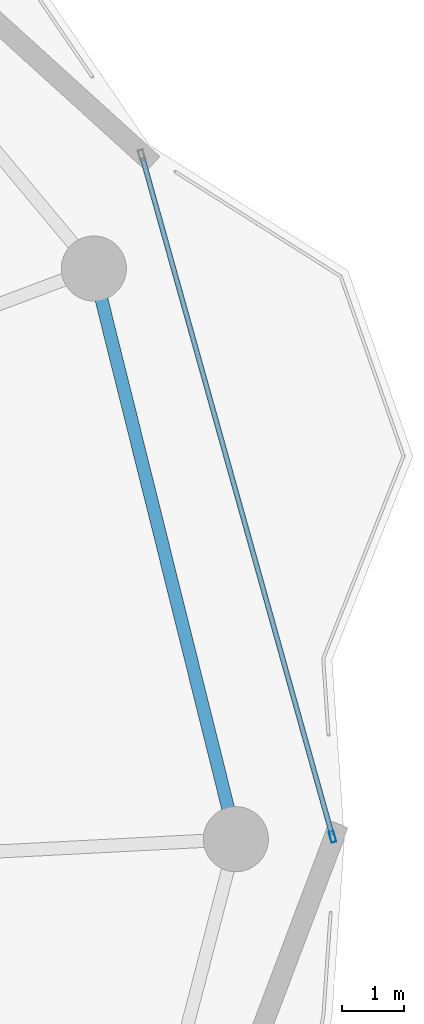
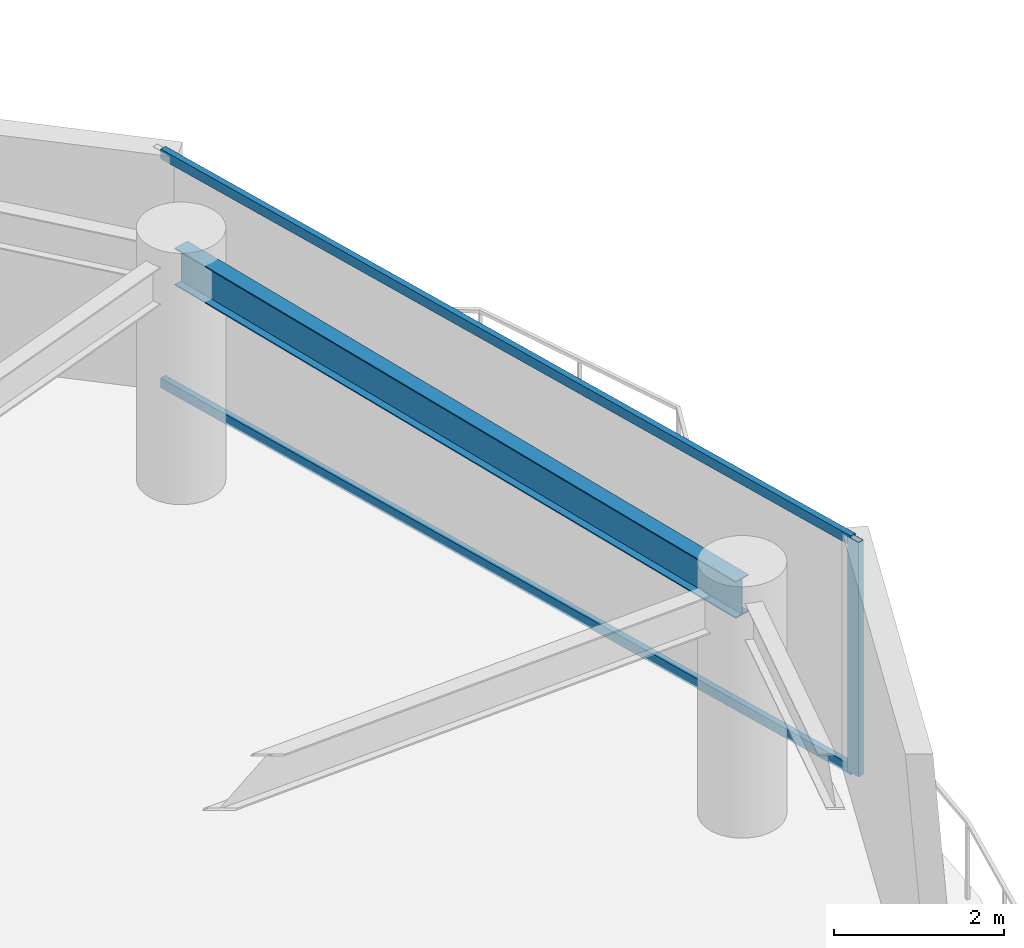
# One storey, part 15 of 29: 3 members, 1 beam, 1 element without a shape of its own.
"""IFC4 building model written with IfcOpenShell, lengths in metres."""

from ifc_helpers import new_model, si_unit, direction, frame, origin, origin_2d, place, context, subcontext, project, spatial, hollow_rectangle, i_section, extrude, material, layer, layer_set, material_profile, profile_set, type_object, element, aggregate, save


model = new_model("IFC4")

# Units and contexts
model_context = context("Model", 3, precision=1e-05, world=origin(), true_north=direction((0.0, 1.0)))
body_context = subcontext(model_context, "Body", "Model", "MODEL_VIEW")
ifc_project = project(units=[si_unit("LENGTHUNIT", "METRE"), si_unit("AREAUNIT", "SQUARE_METRE"), si_unit("VOLUMEUNIT", "CUBIC_METRE"), si_unit("PLANEANGLEUNIT", "RADIAN"), si_unit("MASSUNIT", "GRAM", prefix="KILO")], contexts=[model_context])

# Site, building, storey
site_placement = place(None, origin())
site = spatial("IfcSite", under=ifc_project, at=site_placement, CompositionType="ELEMENT")
building_placement = place(site_placement, origin())
building = spatial("IfcBuilding", under=site, at=building_placement, Name="Kazevale Care Tower and Concert Hall", CompositionType="ELEMENT")
storey_placement = place(building_placement, frame((0.0, 0.0, 199.199951171875)))
storey = spatial("IfcBuildingStorey", under=building, at=storey_placement, Name="L52", CompositionType="ELEMENT", Elevation=199.199951171875)

# Curtain wall, members
ifc_material_1 = material(Name="Aluminium 6063-T6 and Low-E Glass", Category="aluminium")
ifc_layer = layer(ifc_material_1, 0.179931640625)
ifc_layer_set = layer_set([ifc_layer], Name="Aluminium 6063-T6 and Low-E Glass")
curtain_wall_type = type_object("IfcCurtainWallType", Name="Waist & Upper Residential Curtain Wall CW-4", PredefinedType="NOTDEFINED", material=ifc_layer_set)
curtain_wall_placement = place(storey_placement, origin())
curtain_wall = element("IfcCurtainWall", 1, at=curtain_wall_placement, inside=storey, type_object=curtain_wall_type, Name="cw:L52:f18", PredefinedType="NOTDEFINED")
ifc_material_2 = material(Name="Aluminium 6063-T6", Category="aluminium")
ifc_material_profile_1 = material_profile(ifc_material_2, hollow_rectangle(XDim=0.080078125, YDim=0.179931640625, WallThickness=0.0048828125, at=origin_2d()), Name="ALU80x180x5")
ifc_profile_set_1 = profile_set([ifc_material_profile_1], Name="Aluminium 6063-T6")
member_type_1 = type_object("IfcMemberType", Name="CW-4 Mullion ALU80x180x5", PredefinedType="MULLION", material=ifc_profile_set_1)
member_1_placement = place(storey_placement, frame((76.609130859375, 38.03857421875, 0.0), z_axis=(0.0, 0.0, 1.0), x_axis=(0.962972156211, 0.269600864915, 0.0)))
member_1 = element("IfcMember", 2, at=member_1_placement, type_object=member_type_1, Name="CW-4 mullion 2", PredefinedType="MULLION", context=body_context, shape_type="SweptSolid", body=[
    extrude(hollow_rectangle(XDim=0.080078125, YDim=0.179931640625, WallThickness=0.0048828125, at=origin_2d()), origin(), (0.0, 0.0, 1.0), 3.360107421875),
])
ifc_material_profile_2 = material_profile(ifc_material_2, hollow_rectangle(XDim=0.080078125, YDim=0.139892578125, WallThickness=0.00390625, at=origin_2d()), Name="ALU80x140x4")
ifc_profile_set_2 = profile_set([ifc_material_profile_2], Name="Aluminium 6063-T6")
member_type_2 = type_object("IfcMemberType", Name="CW-4 Transom ALU80x140x4", PredefinedType="USERDEFINED", material=ifc_profile_set_2)
member_2_placement = place(storey_placement, frame((73.544677734375, 48.98486328125, 0.0400390625), z_axis=(0.269593149795, -0.96297431616, 0.0), x_axis=(0.96297431616, 0.269593149795, 0.0)))
member_2 = element("IfcMember", 3, at=member_2_placement, type_object=member_type_2, Name="CW-4 transom 1.1", ObjectType="TRANSOM", PredefinedType="USERDEFINED", context=body_context, shape_type="SweptSolid", body=[
    extrude(hollow_rectangle(XDim=0.080078125, YDim=0.139892578125, WallThickness=0.00390625, at=origin_2d()), origin(), (0.0, 0.0, 1.0), 11.3271484375),
])
member_3_placement = place(storey_placement, frame((73.544677734375, 48.98486328125, 3.320068359375), z_axis=(0.269593149795, -0.96297431616, 0.0), x_axis=(0.96297431616, 0.269593149795, 0.0)))
member_3 = element("IfcMember", 4, at=member_3_placement, type_object=member_type_2, Name="CW-4 transom 1.2", ObjectType="TRANSOM", PredefinedType="USERDEFINED", context=body_context, shape_type="SweptSolid", body=[
    extrude(hollow_rectangle(XDim=0.080078125, YDim=0.139892578125, WallThickness=0.00390625, at=origin_2d()), origin(), (0.0, 0.0, 1.0), 11.3271484375),
])
aggregate(curtain_wall, [member_1, member_2, member_3])

# Beam
ifc_material_3 = material(Name="Steel ASTM A572 Gr 50", Category="steel")
ifc_material_profile_3 = material_profile(ifc_material_3, i_section(OverallWidth=0.208984375, OverallDepth=0.532958984375, WebThickness=0.01025390625, FlangeThickness=0.015625, at=origin_2d()), Name="W530x92")
ifc_profile_set_3 = profile_set([ifc_material_profile_3], Name="Steel ASTM A572 Gr 50")
beam_type = type_object("IfcBeamType", Name="Upper Ring Beam W530x92", PredefinedType="BEAM", material=ifc_profile_set_3)
beam_placement = place(storey_placement, frame((75.050048828125, 38.0, 3.093505859375), z_axis=(-0.241547858543, 0.970388907621, 0.0), x_axis=(-0.970388907621, -0.241547858543, 0.0)))
element("IfcBeam", 5, at=beam_placement, inside=storey, type_object=beam_type, Name="beam:L52:ring:01", PredefinedType="BEAM", context=body_context, shape_type="SweptSolid", body=[
    extrude(i_section(OverallWidth=0.208984375, OverallDepth=0.532958984375, WebThickness=0.01025390625, FlangeThickness=0.015625, at=origin_2d()), origin(), (0.0, 0.0, 1.0), 9.480712890625),
])

save(model, "model.ifc")
